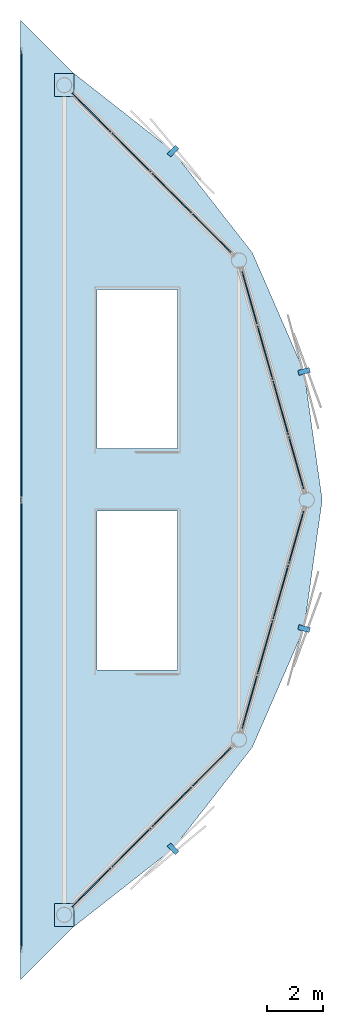
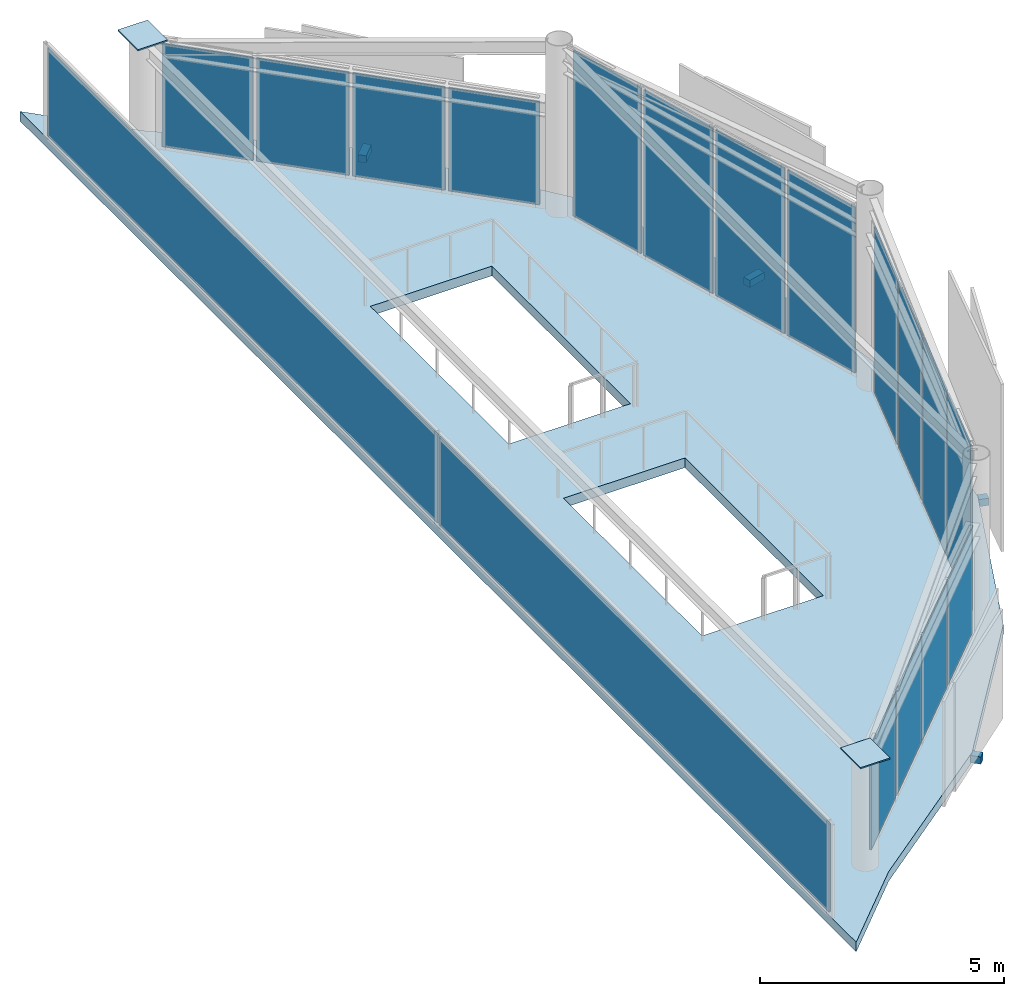
# One storey, part 5 of 6: 20 plates, 4 discrete accessories, 1 slab, 5 elements without a shape of their own.
"""IFC4 building model written with IfcOpenShell, lengths in metres."""

from ifc_helpers import new_model, si_unit, direction, frame, origin, origin_2d, place, context, subcontext, project, spatial, polyline, rectangle, outline, extrude, source, transform, mapped, material, layer, layer_set, type_object, type_shapes, element, aggregate, save


model = new_model("IFC4")

# Units and contexts
model_context = context("Model", 3, precision=1e-05, world=origin(), true_north=direction((0.0, 1.0)))
body_context = subcontext(model_context, "Body", "Model", "MODEL_VIEW")
ifc_project = project(units=[si_unit("LENGTHUNIT", "METRE"), si_unit("AREAUNIT", "SQUARE_METRE"), si_unit("VOLUMEUNIT", "CUBIC_METRE"), si_unit("PLANEANGLEUNIT", "RADIAN"), si_unit("MASSUNIT", "GRAM", prefix="KILO")], contexts=[model_context])

# Site, building, storey
site_placement = place(None, origin())
site = spatial("IfcSite", under=ifc_project, at=site_placement, CompositionType="ELEMENT")
building_placement = place(site_placement, origin())
building = spatial("IfcBuilding", under=site, at=building_placement, Name="Varnakorn Sky Granary", CompositionType="ELEMENT")
storey_placement = place(building_placement, frame((0.0, 0.0, 319.199951171875)))
storey = spatial("IfcBuildingStorey", under=building, at=storey_placement, Name="L81", CompositionType="ELEMENT", Elevation=319.199951171875)

# Plates
ifc_material_1 = material(Name="Steel S460M", Category="steel")
ifc_layer_1 = layer(ifc_material_1, 0.031982421875, Name="Steel S460M")
ifc_layer_set_1 = layer_set([ifc_layer_1], Name="Steel S460M")
plate_type_1 = type_object("IfcPlateType", Name="PL-NODE-KN8", PredefinedType="SHEET", material=ifc_layer_set_1)
for number, where, z_axis, x_axis, name in (
    (1, (13.357421875, 14.77880859375, 2.7431640625), (0.0, 0.0, 1.0), (1.0, 0.0, 0.0), "Hollow Column Top Cap Plate KN8 L81-03"),
    (2, (13.357421875, -14.77880859375, 2.7431640625), (0.0, 0.0, 1.0), (1.0, 0.0, 0.0), "Hollow Column Top Cap Plate KN8 L81-11"),
):
    element("IfcPlate", number, at=place(storey_placement, frame(where, z_axis=z_axis, x_axis=x_axis)), inside=storey, type_object=plate_type_1, Name=name, PredefinedType="SHEET", context=body_context, shape_type="SweptSolid", body=[
        extrude(rectangle(XDim=0.699951171875, YDim=0.820068359375, at=origin_2d()), origin(), (0.0, 0.0, 1.0), 0.031982421875),
    ])

# Slab
ifc_material_2 = material(Name="Precast concrete C40/50", Category="concrete")
ifc_layer_2 = layer(ifc_material_2, 0.239990234375, Name="Precast concrete C40/50")
ifc_layer_set_2 = layer_set([ifc_layer_2], Name="Precast concrete C40/50")
slab_type = type_object("IfcSlabType", Name="ST-SL-LAND-250", PredefinedType="LANDING", material=ifc_layer_set_2)
slab_placement = place(storey_placement, frame((0.0, 0.0, -0.239990234375)))
element("IfcSlab", 3, at=slab_placement, inside=storey, type_object=slab_type, Name="Crown Stair Top Access Landing Deck L81", PredefinedType="LANDING", context=body_context, shape_type="SweptSolid", body=[
    extrude(outline(polyline([(22.550048828125, 0.0), (21.9033203125, 4.58251953125), (20.061767578125, 8.8076171875), (17.238525390625, 12.423828125), (13.632568359375, 15.2548828125), (11.800048828125, 17.101806640625), (11.800048828125, 17.75), (11.800048828125, 17.101806640625), (11.800048828125, 15.2548828125), (11.800048828125, 12.423828125), (11.800048828125, 8.8076171875), (11.800048828125, 4.58251953125), (11.800048828125, 0.0), (11.800048828125, -4.58251953125), (11.800048828125, -8.8076171875), (11.800048828125, -12.423828125), (11.800048828125, -15.2548828125), (11.800048828125, -17.101806640625), (11.800048828125, -17.75), (11.800048828125, -17.101806640625), (13.632568359375, -15.2548828125), (17.238525390625, -12.423828125), (20.061767578125, -8.8076171875), (21.9033203125, -4.58251953125), (22.550048828125, 0.0)]), holes=[polyline([(17.39990234375, 1.8349609375), (17.39990234375, 7.5), (14.530029296875, 7.5), (14.530029296875, 1.8349609375), (17.39990234375, 1.8349609375)]), polyline([(17.39990234375, -6.06494140625), (17.39990234375, -0.39990234375), (14.530029296875, -0.39990234375), (14.530029296875, -6.06494140625), (17.39990234375, -6.06494140625)])]), origin(), (0.0, 0.0, 1.0), 0.239990234375),
])

# Curtain wall, plates
ifc_material_3 = material(Name="Anodised Bronze Aluminium Alloy 6063-T6", Category="aluminium")
ifc_layer_3 = layer(ifc_material_3, 0.22998046875, Name="Anodised Bronze Aluminium Alloy 6063-T6")
ifc_layer_set_3 = layer_set([ifc_layer_3], Name="Anodised Bronze Aluminium Alloy 6063-T6")
curtain_wall_type = type_object("IfcCurtainWallType", Name="CW-LNT-1", PredefinedType="USERDEFINED", material=ifc_layer_set_3)
curtain_wall_1_placement = place(storey_placement, origin())
curtain_wall_1 = element("IfcCurtainWall", 4, at=curtain_wall_1_placement, inside=storey, type_object=curtain_wall_type, Name="Unitised Curtain Wall CW7 CW-L81-B01", ObjectType="CURTAIN WALL", PredefinedType="USERDEFINED")
ifc_material_4 = material(Name="Low-E Tinted Laminated Glass", Category="glass")
ifc_layer_4 = layer(ifc_material_4, 0.035888671875, Name="Low-E Tinted Laminated Glass")
ifc_layer_set_4 = layer_set([ifc_layer_4], Name="Low-E Tinted Laminated Glass")
plate_type_2 = type_object("IfcPlateType", Name="CW-LNT-1-PNL", PredefinedType="CURTAIN_PANEL")
shared_shape_1 = source(origin(), body_context, "Body", "SweptSolid", [
    extrude(rectangle(XDim=1.9345703125, YDim=0.035888671875, at=origin_2d()), origin(), (0.0, 0.0, 1.0), 4.130859375),
])
plate_1_placement = place(storey_placement, frame((19.961669921875, 7.202880859375, 0.074951171875), z_axis=(0.0, 0.0, 1.0), x_axis=(0.272307319276, -0.962210332447, 0.0)))
plate_1 = element("IfcPlate", 5, at=plate_1_placement, type_object=plate_type_2, material=ifc_layer_set_4, Name="CW7 vision glazing unit 1.1", PredefinedType="CURTAIN_PANEL", context=body_context, shape_type="MappedRepresentation", body=[
    mapped(shared_shape_1, transform((0.0, 0.0, 0.0), x_axis=(1.0, 0.0, 0.0), y_axis=(0.0, 1.0, 0.0), z_axis=(0.0, 0.0, 1.0), scale=1.0)),
])
plate_2_placement = place(storey_placement, frame((21.623779296875, 1.32958984375, 0.074951171875), z_axis=(0.0, 0.0, 1.0), x_axis=(0.272307319276, -0.962210332447, 0.0)))
plate_2 = element("IfcPlate", 6, at=plate_2_placement, type_object=plate_type_2, material=ifc_layer_set_4, Name="CW7 vision glazing unit 4.1", PredefinedType="CURTAIN_PANEL", context=body_context, shape_type="MappedRepresentation", body=[
    mapped(shared_shape_1, transform((0.0, 0.0, 0.0), x_axis=(1.0, 0.0, 0.0), y_axis=(0.0, 1.0, 0.0), z_axis=(0.0, 0.0, 1.0), scale=1.0)),
])

curtain_wall_2_placement = place(storey_placement, origin())
curtain_wall_2 = element("IfcCurtainWall", 7, at=curtain_wall_2_placement, inside=storey, type_object=curtain_wall_type, Name="Unitised Curtain Wall CW7 CW-L81-B12", ObjectType="CURTAIN WALL", PredefinedType="USERDEFINED")
plate_3_placement = place(storey_placement, frame((21.623779296875, -1.32958984375, 0.074951171875), z_axis=(0.0, 0.0, 1.0), x_axis=(-0.272307319276, -0.962210332447, 0.0)))
plate_3 = element("IfcPlate", 8, at=plate_3_placement, type_object=plate_type_2, material=ifc_layer_set_4, Name="CW7 vision glazing unit 1.1", PredefinedType="CURTAIN_PANEL", context=body_context, shape_type="MappedRepresentation", body=[
    mapped(shared_shape_1, transform((0.0, 0.0, 0.0), x_axis=(1.0, 0.0, 0.0), y_axis=(0.0, 1.0, 0.0), z_axis=(0.0, 0.0, 1.0), scale=1.0)),
])
plate_4_placement = place(storey_placement, frame((19.961669921875, -7.202880859375, 0.074951171875), z_axis=(0.0, 0.0, 1.0), x_axis=(-0.272307319276, -0.962210332447, 0.0)))
plate_4 = element("IfcPlate", 9, at=plate_4_placement, type_object=plate_type_2, material=ifc_layer_set_4, Name="CW7 vision glazing unit 4.1", PredefinedType="CURTAIN_PANEL", context=body_context, shape_type="MappedRepresentation", body=[
    mapped(shared_shape_1, transform((0.0, 0.0, 0.0), x_axis=(1.0, 0.0, 0.0), y_axis=(0.0, 1.0, 0.0), z_axis=(0.0, 0.0, 1.0), scale=1.0)),
])

# Plate
shared_shape_2 = source(origin(), body_context, "Body", "SweptSolid", [
    extrude(rectangle(XDim=1.97216796875, YDim=0.035888671875, at=origin_2d()), origin(), (0.0, 0.0, 1.0), 4.130859375),
])
plate_5_placement = place(storey_placement, frame((20.513916015625, 5.251220703125, 0.074951171875), z_axis=(0.0, 0.0, 1.0), x_axis=(0.272307319276, -0.962210332447, 0.0)))
plate_5 = element("IfcPlate", 10, at=plate_5_placement, type_object=plate_type_2, material=ifc_layer_set_4, Name="CW7 vision glazing unit 2.1", PredefinedType="CURTAIN_PANEL", context=body_context, shape_type="MappedRepresentation", body=[
    mapped(shared_shape_2, transform((0.0, 0.0, 0.0), x_axis=(1.0, 0.0, 0.0), y_axis=(0.0, 1.0, 0.0), z_axis=(0.0, 0.0, 1.0), scale=1.0)),
])

plate_6_placement = place(storey_placement, frame((21.071533203125, 3.28125, 0.074951171875), z_axis=(0.0, 0.0, 1.0), x_axis=(0.272307319276, -0.962210332447, 0.0)))
plate_6 = element("IfcPlate", 11, at=plate_6_placement, type_object=plate_type_2, material=ifc_layer_set_4, Name="CW7 vision glazing unit 3.1", PredefinedType="CURTAIN_PANEL", context=body_context, shape_type="MappedRepresentation", body=[
    mapped(shared_shape_2, transform((0.0, 0.0, 0.0), x_axis=(1.0, 0.0, 0.0), y_axis=(0.0, 1.0, 0.0), z_axis=(0.0, 0.0, 1.0), scale=1.0)),
])

aggregate(curtain_wall_1, [plate_1, plate_5, plate_6, plate_2])

plate_7_placement = place(storey_placement, frame((21.071533203125, -3.28125, 0.074951171875), z_axis=(0.0, 0.0, 1.0), x_axis=(-0.272307319276, -0.962210332447, 0.0)))
plate_7 = element("IfcPlate", 12, at=plate_7_placement, type_object=plate_type_2, material=ifc_layer_set_4, Name="CW7 vision glazing unit 2.1", PredefinedType="CURTAIN_PANEL", context=body_context, shape_type="MappedRepresentation", body=[
    mapped(shared_shape_2, transform((0.0, 0.0, 0.0), x_axis=(1.0, 0.0, 0.0), y_axis=(0.0, 1.0, 0.0), z_axis=(0.0, 0.0, 1.0), scale=1.0)),
])

plate_8_placement = place(storey_placement, frame((20.513916015625, -5.251220703125, 0.074951171875), z_axis=(0.0, 0.0, 1.0), x_axis=(-0.272307319276, -0.962210332447, 0.0)))
plate_8 = element("IfcPlate", 13, at=plate_8_placement, type_object=plate_type_2, material=ifc_layer_set_4, Name="CW7 vision glazing unit 3.1", PredefinedType="CURTAIN_PANEL", context=body_context, shape_type="MappedRepresentation", body=[
    mapped(shared_shape_2, transform((0.0, 0.0, 0.0), x_axis=(1.0, 0.0, 0.0), y_axis=(0.0, 1.0, 0.0), z_axis=(0.0, 0.0, 1.0), scale=1.0)),
])

aggregate(curtain_wall_2, [plate_3, plate_7, plate_8, plate_4])

# Curtain wall, plates
curtain_wall_3_placement = place(storey_placement, origin())
curtain_wall_3 = element("IfcCurtainWall", 14, at=curtain_wall_3_placement, inside=storey, type_object=curtain_wall_type, Name="Unitised Curtain Wall CW7 CW-L81-B02", ObjectType="CURTAIN WALL", PredefinedType="USERDEFINED")
shared_shape_3 = source(origin(), body_context, "Body", "SweptSolid", [
    extrude(rectangle(XDim=1.9228515625, YDim=0.035888671875, at=origin_2d()), origin(), (0.0, 0.0, 1.0), 2.578125),
])
plate_9_placement = place(storey_placement, frame((14.3291015625, 13.804443359375, 0.074951171875), z_axis=(0.0, 0.0, 1.0), x_axis=(0.706068135564, -0.708143903413, 0.0)))
plate_9 = element("IfcPlate", 15, at=plate_9_placement, type_object=plate_type_2, material=ifc_layer_set_4, Name="CW7 vision glazing unit 1.1", PredefinedType="CURTAIN_PANEL", context=body_context, shape_type="MappedRepresentation", body=[
    mapped(shared_shape_3, transform((0.0, 0.0, 0.0), x_axis=(1.0, 0.0, 0.0), y_axis=(0.0, 1.0, 0.0), z_axis=(0.0, 0.0, 1.0), scale=1.0)),
])
plate_10_placement = place(storey_placement, frame((18.614013671875, 9.5068359375, 0.074951171875), z_axis=(0.0, 0.0, 1.0), x_axis=(0.706068135564, -0.708143903413, 0.0)))
plate_10 = element("IfcPlate", 16, at=plate_10_placement, type_object=plate_type_2, material=ifc_layer_set_4, Name="CW7 vision glazing unit 4.1", PredefinedType="CURTAIN_PANEL", context=body_context, shape_type="MappedRepresentation", body=[
    mapped(shared_shape_3, transform((0.0, 0.0, 0.0), x_axis=(1.0, 0.0, 0.0), y_axis=(0.0, 1.0, 0.0), z_axis=(0.0, 0.0, 1.0), scale=1.0)),
])

curtain_wall_4_placement = place(storey_placement, origin())
curtain_wall_4 = element("IfcCurtainWall", 17, at=curtain_wall_4_placement, inside=storey, type_object=curtain_wall_type, Name="Unitised Curtain Wall CW7 CW-L81-B11", ObjectType="CURTAIN WALL", PredefinedType="USERDEFINED")
plate_11_placement = place(storey_placement, frame((18.614013671875, -9.5068359375, 0.074951171875), z_axis=(0.0, 0.0, 1.0), x_axis=(-0.706068135564, -0.708143903413, 0.0)))
plate_11 = element("IfcPlate", 18, at=plate_11_placement, type_object=plate_type_2, material=ifc_layer_set_4, Name="CW7 vision glazing unit 1.1", PredefinedType="CURTAIN_PANEL", context=body_context, shape_type="MappedRepresentation", body=[
    mapped(shared_shape_3, transform((0.0, 0.0, 0.0), x_axis=(1.0, 0.0, 0.0), y_axis=(0.0, 1.0, 0.0), z_axis=(0.0, 0.0, 1.0), scale=1.0)),
])
plate_12_placement = place(storey_placement, frame((14.3291015625, -13.804443359375, 0.074951171875), z_axis=(0.0, 0.0, 1.0), x_axis=(-0.706068135564, -0.708143903413, 0.0)))
plate_12 = element("IfcPlate", 19, at=plate_12_placement, type_object=plate_type_2, material=ifc_layer_set_4, Name="CW7 vision glazing unit 4.1", PredefinedType="CURTAIN_PANEL", context=body_context, shape_type="MappedRepresentation", body=[
    mapped(shared_shape_3, transform((0.0, 0.0, 0.0), x_axis=(1.0, 0.0, 0.0), y_axis=(0.0, 1.0, 0.0), z_axis=(0.0, 0.0, 1.0), scale=1.0)),
])

# Plate
shared_shape_4 = source(origin(), body_context, "Body", "SweptSolid", [
    extrude(rectangle(XDim=1.96044921875, YDim=0.035888671875, at=origin_2d()), origin(), (0.0, 0.0, 1.0), 2.578125),
])
plate_13_placement = place(storey_placement, frame((15.7529296875, 12.376220703125, 0.074951171875), z_axis=(0.0, 0.0, 1.0), x_axis=(0.706068135564, -0.708143903413, 0.0)))
plate_13 = element("IfcPlate", 20, at=plate_13_placement, type_object=plate_type_2, material=ifc_layer_set_4, Name="CW7 vision glazing unit 2.1", PredefinedType="CURTAIN_PANEL", context=body_context, shape_type="MappedRepresentation", body=[
    mapped(shared_shape_4, transform((0.0, 0.0, 0.0), x_axis=(1.0, 0.0, 0.0), y_axis=(0.0, 1.0, 0.0), z_axis=(0.0, 0.0, 1.0), scale=1.0)),
])

plate_14_placement = place(storey_placement, frame((17.18994140625, 10.934814453125, 0.074951171875), z_axis=(0.0, 0.0, 1.0), x_axis=(0.706068135564, -0.708143903413, 0.0)))
plate_14 = element("IfcPlate", 21, at=plate_14_placement, type_object=plate_type_2, material=ifc_layer_set_4, Name="CW7 vision glazing unit 3.1", PredefinedType="CURTAIN_PANEL", context=body_context, shape_type="MappedRepresentation", body=[
    mapped(shared_shape_4, transform((0.0, 0.0, 0.0), x_axis=(1.0, 0.0, 0.0), y_axis=(0.0, 1.0, 0.0), z_axis=(0.0, 0.0, 1.0), scale=1.0)),
])

aggregate(curtain_wall_3, [plate_9, plate_13, plate_14, plate_10])

plate_15_placement = place(storey_placement, frame((17.18994140625, -10.934814453125, 0.074951171875), z_axis=(0.0, 0.0, 1.0), x_axis=(-0.706068135564, -0.708143903413, 0.0)))
plate_15 = element("IfcPlate", 22, at=plate_15_placement, type_object=plate_type_2, material=ifc_layer_set_4, Name="CW7 vision glazing unit 2.1", PredefinedType="CURTAIN_PANEL", context=body_context, shape_type="MappedRepresentation", body=[
    mapped(shared_shape_4, transform((0.0, 0.0, 0.0), x_axis=(1.0, 0.0, 0.0), y_axis=(0.0, 1.0, 0.0), z_axis=(0.0, 0.0, 1.0), scale=1.0)),
])

plate_16_placement = place(storey_placement, frame((15.7529296875, -12.376220703125, 0.074951171875), z_axis=(0.0, 0.0, 1.0), x_axis=(-0.706068135564, -0.708143903413, 0.0)))
plate_16 = element("IfcPlate", 23, at=plate_16_placement, type_object=plate_type_2, material=ifc_layer_set_4, Name="CW7 vision glazing unit 3.1", PredefinedType="CURTAIN_PANEL", context=body_context, shape_type="MappedRepresentation", body=[
    mapped(shared_shape_4, transform((0.0, 0.0, 0.0), x_axis=(1.0, 0.0, 0.0), y_axis=(0.0, 1.0, 0.0), z_axis=(0.0, 0.0, 1.0), scale=1.0)),
])

aggregate(curtain_wall_4, [plate_11, plate_15, plate_16, plate_12])

# Curtain wall, plates
curtain_wall_5_placement = place(storey_placement, origin())
curtain_wall_5 = element("IfcCurtainWall", 24, at=curtain_wall_5_placement, inside=storey, type_object=curtain_wall_type, Name="Unitised Curtain Wall CW7 CW-L81-SLANT", ObjectType="CURTAIN WALL", PredefinedType="USERDEFINED")
shared_shape_5 = source(origin(), body_context, "Body", "SweptSolid", [
    extrude(rectangle(XDim=15.951904296875, YDim=0.035888671875, at=origin_2d()), origin(), (0.0, 0.0, 1.0), 2.189697265625),
])
type_shapes(plate_type_2, [shared_shape_1, shared_shape_2, shared_shape_3, shared_shape_4, shared_shape_5])
plate_17_placement = place(storey_placement, frame((11.820068359375, -8.013427734375, 0.0751953125), z_axis=(0.0, 0.0, 1.0), x_axis=(0.0, 1.0, 0.0)))
plate_17 = element("IfcPlate", 25, at=plate_17_placement, type_object=plate_type_2, material=ifc_layer_set_4, Name="CW7 vision glazing unit 1.1", PredefinedType="CURTAIN_PANEL", context=body_context, shape_type="MappedRepresentation", body=[
    mapped(shared_shape_5, transform((0.0, 0.0, 0.0), x_axis=(1.0, 0.0, 0.0), y_axis=(0.0, 1.0, 0.0), z_axis=(0.0, 0.0, 1.0), scale=1.0)),
])
plate_18_placement = place(storey_placement, frame((11.820068359375, 8.013427734375, 0.0751953125), z_axis=(0.0, 0.0, 1.0), x_axis=(0.0, 1.0, 0.0)))
plate_18 = element("IfcPlate", 26, at=plate_18_placement, type_object=plate_type_2, material=ifc_layer_set_4, Name="CW7 vision glazing unit 2.1", PredefinedType="CURTAIN_PANEL", context=body_context, shape_type="MappedRepresentation", body=[
    mapped(shared_shape_5, transform((0.0, 0.0, 0.0), x_axis=(1.0, 0.0, 0.0), y_axis=(0.0, 1.0, 0.0), z_axis=(0.0, 0.0, 1.0), scale=1.0)),
])
aggregate(curtain_wall_5, [plate_17, plate_18])

# Discrete accessories
ifc_material_5 = material(Name="Steel S355JR", Category="steel")
discrete_accessory_type = type_object("IfcDiscreteAccessoryType", Name="AC-BRK-01", PredefinedType="BRACKET", material=ifc_material_5)
shared_shape_6 = source(origin(), body_context, "Body", "SweptSolid", [
    extrude(rectangle(XDim=0.179931640625, YDim=0.419921875, at=origin_2d()), origin(), (0.0, 0.0, 1.0), 0.179931640625),
])
type_shapes(discrete_accessory_type, [shared_shape_6])
for number, where, z_axis, x_axis, name in (
    (27, (21.9033203125, 4.58251953125, -0.19970703125), (0.0, 0.0, 1.0), (-0.259505801394, 0.965741548782, 0.0), "Facade Solar-Screen Outrigger Bracket L81-01"),
    (28, (17.23828125, 12.424072265625, -0.19970703125), (0.0, 0.0, 1.0), (-0.708118965962, 0.706093145445, 0.0), "Facade Solar-Screen Outrigger Bracket L81-02"),
    (29, (17.23828125, -12.424072265625, -0.19970703125), (0.0, 0.0, 1.0), (0.708118965962, 0.706093145445, 0.0), "Facade Solar-Screen Outrigger Bracket L81-11"),
    (30, (21.9033203125, -4.58251953125, -0.19970703125), (0.0, 0.0, 1.0), (0.259505801394, 0.965741548782, 0.0), "Facade Solar-Screen Outrigger Bracket L81-12"),
):
    element("IfcDiscreteAccessory", number, at=place(storey_placement, frame(where, z_axis=z_axis, x_axis=x_axis)), inside=storey, type_object=discrete_accessory_type, Name=name, PredefinedType="BRACKET", context=body_context, shape_type="MappedRepresentation", body=[
        mapped(shared_shape_6, transform((0.0, 0.0, 0.0), x_axis=(1.0, 0.0, 0.0), y_axis=(0.0, 1.0, 0.0), z_axis=(0.0, 0.0, 1.0), scale=1.0)),
    ])

save(model, "model.ifc")
